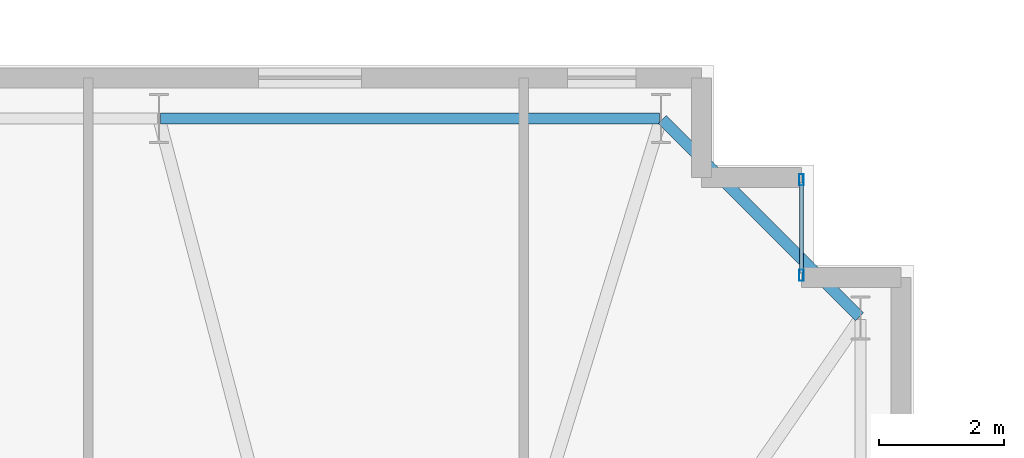
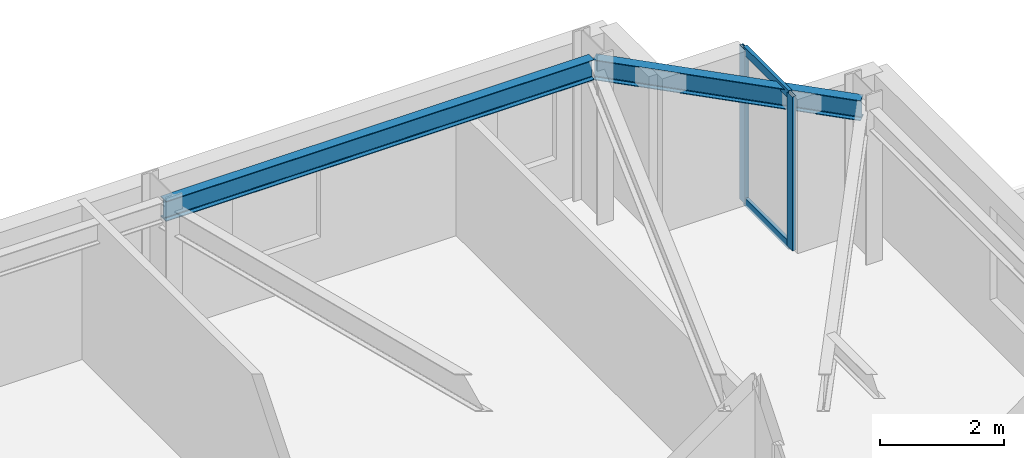
# One storey, part 10 of 18: 4 members, 2 beams, 1 element without a shape of its own.
"""IFC4 building model written with IfcOpenShell, lengths in metres."""

from ifc_helpers import new_model, si_unit, direction, frame, origin, origin_2d, place, context, subcontext, project, spatial, hollow_rectangle, i_section, extrude, material, layer, layer_set, material_profile, profile_set, type_object, element, aggregate, save


model = new_model("IFC4")

# Units and contexts
model_context = context("Model", 3, precision=1e-05, world=origin(), true_north=direction((0.0, 1.0)))
body_context = subcontext(model_context, "Body", "Model", "MODEL_VIEW")
ifc_project = project(units=[si_unit("LENGTHUNIT", "METRE"), si_unit("AREAUNIT", "SQUARE_METRE"), si_unit("VOLUMEUNIT", "CUBIC_METRE"), si_unit("PLANEANGLEUNIT", "RADIAN"), si_unit("MASSUNIT", "GRAM", prefix="KILO")], contexts=[model_context])

# Site, building, storey
site_placement = place(None, origin())
site = spatial("IfcSite", under=ifc_project, at=site_placement, CompositionType="ELEMENT")
building_placement = place(site_placement, origin())
building = spatial("IfcBuilding", under=site, at=building_placement, Name="Qobustan Lattice House", CompositionType="ELEMENT")
storey_placement = place(building_placement, frame((0.0, 0.0, 151.10009765625)))
storey = spatial("IfcBuildingStorey", under=building, at=storey_placement, Name="L42", CompositionType="ELEMENT", Elevation=151.10009765625)

# Beams
ifc_material_1 = material(Name="Steel S355", Category="steel")
ifc_material_profile_1 = material_profile(ifc_material_1, i_section(OverallWidth=0.179931640625, OverallDepth=0.39990234375, WebThickness=0.008544921875, FlangeThickness=0.013427734375, FilletRadius=0.02099609375, at=origin_2d()), Name="IPE400")
ifc_profile_set_1 = profile_set([ifc_material_profile_1], Name="Steel S355")
beam_type = type_object("IfcBeamType", Name="BM-SPD-IPE400", PredefinedType="SPANDREL", material=ifc_profile_set_1)
beam_1_placement = place(storey_placement, frame((26.332275390625, 16.567626953125, 2.83984375), z_axis=(-0.707079505568, 0.707134055753, 0.0), x_axis=(-0.707134055753, -0.707079505568, 0.0)))
element("IfcBeam", 1, at=beam_1_placement, inside=storey, type_object=beam_type, Name="L42 perimeter spandrel E4-N1", PredefinedType="SPANDREL", context=body_context, shape_type="SweptSolid", body=[
    extrude(i_section(OverallWidth=0.179931640625, OverallDepth=0.39990234375, WebThickness=0.008544921875, FlangeThickness=0.013427734375, FilletRadius=0.02099609375, at=origin_2d()), origin(), (0.0, 0.0, 1.0), 4.4755859375),
])
beam_2_placement = place(storey_placement, frame((23.125, 19.75, 2.83984375), z_axis=(-1.0, 0.0, 0.0), x_axis=(0.0, -1.0, 0.0)))
element("IfcBeam", 2, at=beam_2_placement, inside=storey, type_object=beam_type, Name="L42 perimeter spandrel N1-N2", PredefinedType="SPANDREL", context=body_context, shape_type="SweptSolid", body=[
    extrude(i_section(OverallWidth=0.179931640625, OverallDepth=0.39990234375, WebThickness=0.008544921875, FlangeThickness=0.013427734375, FilletRadius=0.02099609375, at=origin_2d()), origin(), (0.0, 0.0, 1.0), 8.0),
])

# Curtain wall, members
ifc_material_2 = material(Name="Anodised aluminium and low-E glazing", Category="aluminium")
ifc_layer = layer(ifc_material_2, 0.219970703125)
ifc_layer_set = layer_set([ifc_layer], Name="Anodised aluminium and low-E glazing")
curtain_wall_type = type_object("IfcCurtainWallType", Name="CW-FAC-02", PredefinedType="USERDEFINED", material=ifc_layer_set)
curtain_wall_placement = place(storey_placement, origin())
curtain_wall = element("IfcCurtainWall", 3, at=curtain_wall_placement, inside=storey, type_object=curtain_wall_type, Name="L42 serrated corner faceted glazing 13", ObjectType="CURTAIN WALL", PredefinedType="USERDEFINED")
ifc_material_3 = material(Name="Anodised aluminium EN AW-6063 T6", Category="aluminium")
ifc_material_profile_2 = material_profile(ifc_material_3, hollow_rectangle(XDim=0.070068359375, YDim=0.179931640625, WallThickness=0.00439453125, at=origin_2d()), Name="CWM-180x70")
ifc_profile_set_2 = profile_set([ifc_material_profile_2], Name="Anodised aluminium EN AW-6063 T6")
member_type_1 = type_object("IfcMemberType", Name="CWM-STD-180", PredefinedType="MULLION", material=ifc_profile_set_2)
member_1_placement = place(storey_placement, frame((25.39990234375, 18.764892578125, 0.0), z_axis=(0.0, 0.0, 1.0), x_axis=(1.0, 0.0, 0.0)))
member_1 = element("IfcMember", 4, at=member_1_placement, type_object=member_type_1, Name="CW-F2 mullion 1", PredefinedType="MULLION", context=body_context, shape_type="SweptSolid", body=[
    extrude(hollow_rectangle(XDim=0.070068359375, YDim=0.179931640625, WallThickness=0.00439453125, at=origin_2d()), origin(), (0.0, 0.0, 1.0), 3.039794921875),
])
member_2_placement = place(storey_placement, frame((25.39990234375, 17.235107421875, 0.0), z_axis=(0.0, 0.0, 1.0), x_axis=(1.0, 0.0, 0.0)))
member_2 = element("IfcMember", 5, at=member_2_placement, type_object=member_type_1, Name="CW-F2 mullion 2", PredefinedType="MULLION", context=body_context, shape_type="SweptSolid", body=[
    extrude(hollow_rectangle(XDim=0.070068359375, YDim=0.179931640625, WallThickness=0.00439453125, at=origin_2d()), origin(), (0.0, 0.0, 1.0), 3.039794921875),
])
ifc_material_4 = material(Name="Anodised aluminium EN AW-6063 T6", Category="aluminium")
ifc_material_profile_3 = material_profile(ifc_material_4, hollow_rectangle(XDim=0.06494140625, YDim=0.159912109375, WallThickness=0.00390625, at=origin_2d()), Name="CWT-160x65")
ifc_profile_set_3 = profile_set([ifc_material_profile_3], Name="Anodised aluminium EN AW-6063 T6")
member_type_2 = type_object("IfcMemberType", Name="CWT-HOR-160", PredefinedType="USERDEFINED", material=ifc_profile_set_3)
member_3_placement = place(storey_placement, frame((25.39990234375, 18.72998046875, 0.032470703125), z_axis=(0.0, -1.0, 0.0), x_axis=(1.0, 0.0, 0.0)))
member_3 = element("IfcMember", 6, at=member_3_placement, type_object=member_type_2, Name="CW-F2 transom 1.1", ObjectType="TRANSOM", PredefinedType="USERDEFINED", context=body_context, shape_type="SweptSolid", body=[
    extrude(hollow_rectangle(XDim=0.06494140625, YDim=0.159912109375, WallThickness=0.00390625, at=origin_2d()), origin(), (0.0, 0.0, 1.0), 1.4599609375),
])
member_4_placement = place(storey_placement, frame((25.39990234375, 18.72998046875, 3.00732421875), z_axis=(0.0, -1.0, 0.0), x_axis=(1.0, 0.0, 0.0)))
member_4 = element("IfcMember", 7, at=member_4_placement, type_object=member_type_2, Name="CW-F2 transom 1.2", ObjectType="TRANSOM", PredefinedType="USERDEFINED", context=body_context, shape_type="SweptSolid", body=[
    extrude(hollow_rectangle(XDim=0.06494140625, YDim=0.159912109375, WallThickness=0.00390625, at=origin_2d()), origin(), (0.0, 0.0, 1.0), 1.4599609375),
])
aggregate(curtain_wall, [member_1, member_2, member_3, member_4])

save(model, "model.ifc")
